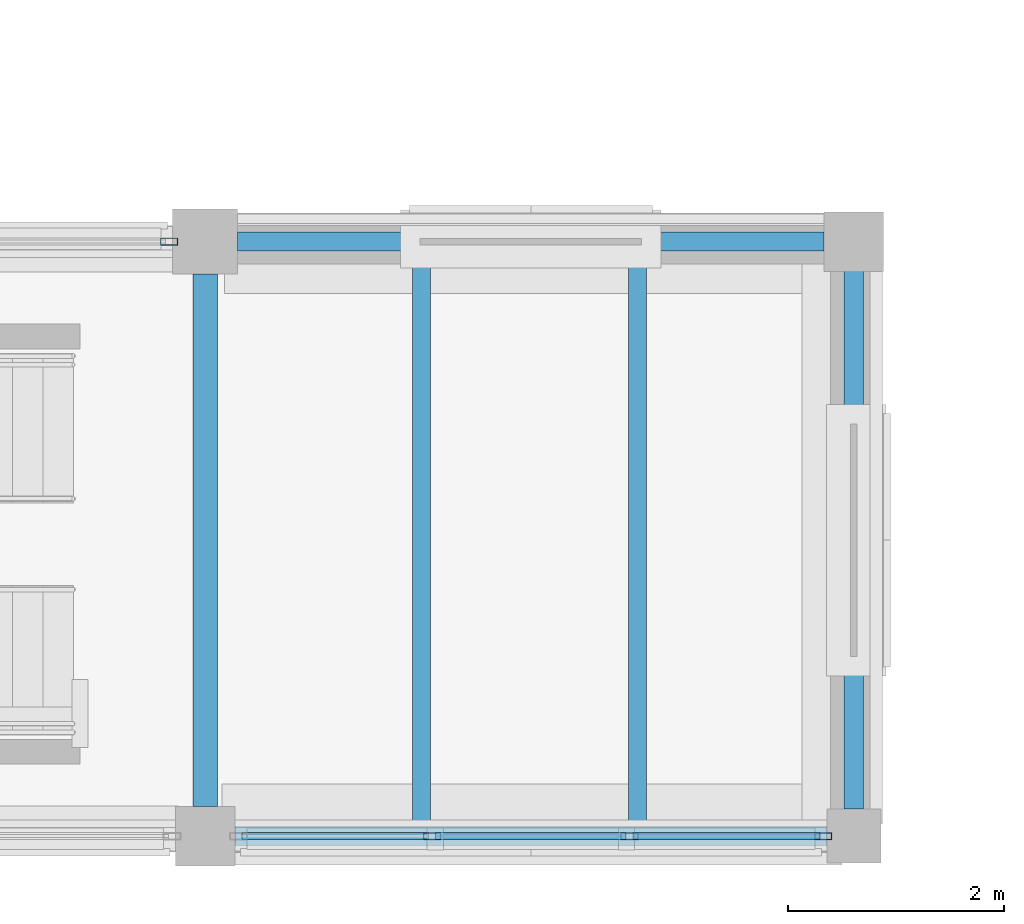
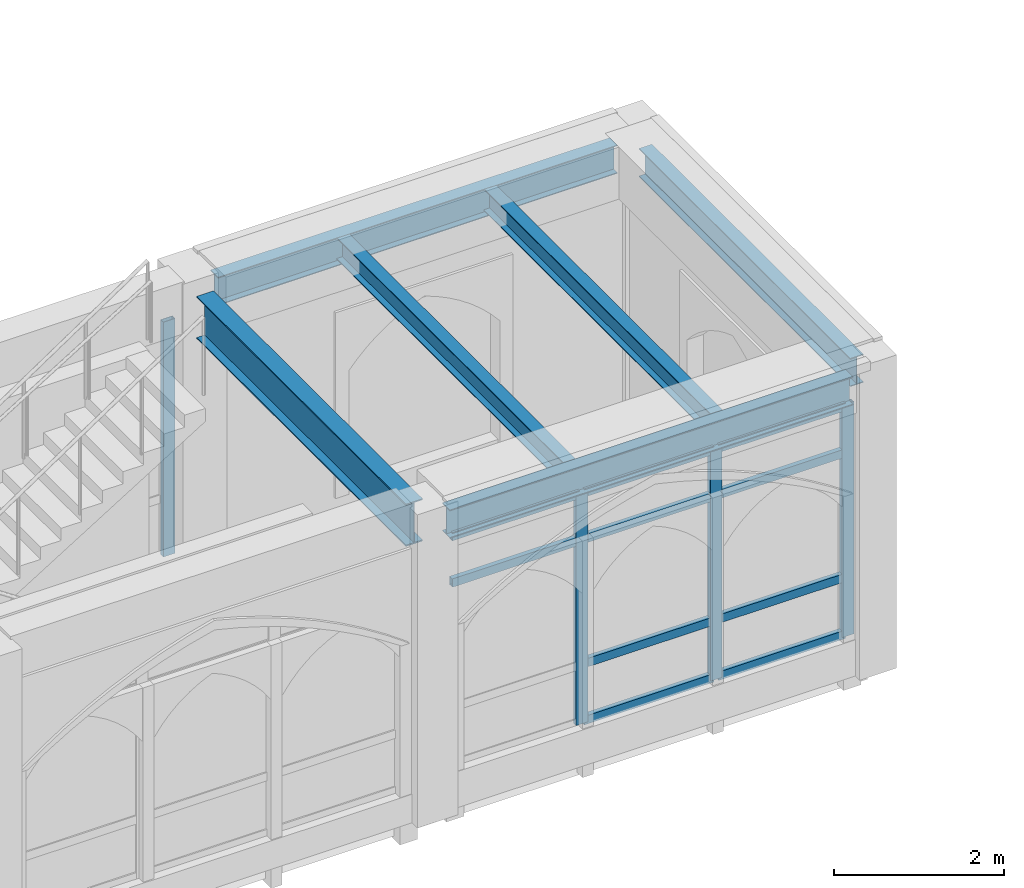
# One storey, part 37 of 127: 14 members, 6 beams, 2 elements without a shape of their own.
"""IFC4 building model written with IfcOpenShell, lengths in metres."""

from ifc_helpers import new_model, si_unit, direction, frame, origin, origin_2d, place, context, subcontext, project, spatial, hollow_rectangle, i_section, extrude, material, layer, layer_set, material_profile, profile_set, type_object, element, aggregate, save


model = new_model("IFC4")

# Units and contexts
model_context = context("Model", 3, precision=1e-05, world=origin(), true_north=direction((0.0, 1.0)))
body_context = subcontext(model_context, "Body", "Model", "MODEL_VIEW")
ifc_project = project(units=[si_unit("LENGTHUNIT", "METRE"), si_unit("AREAUNIT", "SQUARE_METRE"), si_unit("VOLUMEUNIT", "CUBIC_METRE"), si_unit("PLANEANGLEUNIT", "RADIAN"), si_unit("MASSUNIT", "GRAM", prefix="KILO")], contexts=[model_context])

# Site, building, storey
site_placement = place(None, origin())
site = spatial("IfcSite", under=ifc_project, at=site_placement, CompositionType="ELEMENT")
building_placement = place(site_placement, origin())
building = spatial("IfcBuilding", under=site, at=building_placement, Name="Cumevento Cable Car Station", CompositionType="ELEMENT")
storey_placement = place(building_placement, frame((0.0, 0.0, 4.5)))
storey = spatial("IfcBuildingStorey", under=building, at=storey_placement, Name="L02", CompositionType="ELEMENT", Elevation=4.5)

# Curtain wall, member
ifc_material_1 = material(Name="Anodised Bronze Aluminium AW-6063-T6", Category="aluminium")
ifc_layer_1 = layer(ifc_material_1, 0.243896484375)
ifc_layer_set_1 = layer_set([ifc_layer_1], Name="Anodised Bronze Aluminium AW-6063-T6")
curtain_wall_type_1 = type_object("IfcCurtainWallType", Name="Lancet Curtain Wall CW-15 1610", PredefinedType="NOTDEFINED", material=ifc_layer_set_1)
curtain_wall_1_placement = place(storey_placement, origin())
curtain_wall_1 = element("IfcCurtainWall", 1, at=curtain_wall_1_placement, inside=storey, type_object=curtain_wall_type_1, Name="Lancet Curtain Wall CW-15 L02 #30", PredefinedType="NOTDEFINED")
ifc_material_2 = material(Name="Anodised Bronze Aluminium AW-6063-T6", Category="aluminium")
ifc_material_profile_1 = material_profile(ifc_material_2, hollow_rectangle(XDim=0.06494140625, YDim=0.159912109375, WallThickness=0.00390625, at=origin_2d()), Name="ALUM65x160x4")
ifc_profile_set_1 = profile_set([ifc_material_profile_1], Name="Anodised Bronze Aluminium AW-6063-T6")
member_type_1 = type_object("IfcMemberType", Name="Curtain Mullion CWM-01 ALUM65x160x4", PredefinedType="MULLION", material=ifc_profile_set_1)
member_1_placement = place(storey_placement, frame((75.66748046875, 9.5, 0.4599609375), z_axis=(0.0, 0.0, 1.0), x_axis=(0.0, 1.0, 0.0)))
member_1 = element("IfcMember", 2, at=member_1_placement, type_object=member_type_1, Name="CW-15 mullion 4", PredefinedType="MULLION", context=body_context, shape_type="SweptSolid", body=[
    extrude(hollow_rectangle(XDim=0.06494140625, YDim=0.159912109375, WallThickness=0.00390625, at=origin_2d()), origin(), (0.0, 0.0, 1.0), 3.373046875),
])
aggregate(curtain_wall_1, [member_1])

# Curtain wall, members
ifc_material_3 = material(Name="Anodised Bronze Aluminium AW-6063-T6", Category="aluminium")
ifc_layer_2 = layer(ifc_material_3, 0.25)
ifc_layer_set_2 = layer_set([ifc_layer_2], Name="Anodised Bronze Aluminium AW-6063-T6")
curtain_wall_type_2 = type_object("IfcCurtainWallType", Name="Lancet Curtain Wall CW-16 1650", PredefinedType="NOTDEFINED", material=ifc_layer_set_2)
curtain_wall_2_placement = place(storey_placement, origin())
curtain_wall_2 = element("IfcCurtainWall", 3, at=curtain_wall_2_placement, inside=storey, type_object=curtain_wall_type_2, Name="Lancet Curtain Wall CW-16 L02 #31", PredefinedType="NOTDEFINED")
member_2_placement = place(storey_placement, frame((81.717529296875, 4.0, 0.52001953125), z_axis=(0.0, 0.0, 1.0), x_axis=(0.0, -1.0, 0.0)))
member_2 = element("IfcMember", 4, at=member_2_placement, type_object=member_type_1, Name="CW-16 mullion 1", PredefinedType="MULLION", context=body_context, shape_type="SweptSolid", body=[
    extrude(hollow_rectangle(XDim=0.06494140625, YDim=0.159912109375, WallThickness=0.00390625, at=origin_2d()), origin(), (0.0, 0.0, 1.0), 3.3369140625),
])
member_3_placement = place(storey_placement, frame((79.925048828125, 4.0, 0.52001953125), z_axis=(0.0, 0.0, 1.0), x_axis=(0.0, -1.0, 0.0)))
member_3 = element("IfcMember", 5, at=member_3_placement, type_object=member_type_1, Name="CW-16 mullion 2", PredefinedType="MULLION", context=body_context, shape_type="SweptSolid", body=[
    extrude(hollow_rectangle(XDim=0.06494140625, YDim=0.159912109375, WallThickness=0.00390625, at=origin_2d()), origin(), (0.0, 0.0, 1.0), 3.3369140625),
])
member_4_placement = place(storey_placement, frame((78.10009765625, 4.0, 0.52001953125), z_axis=(0.0, 0.0, 1.0), x_axis=(0.0, -1.0, 0.0)))
member_4 = element("IfcMember", 6, at=member_4_placement, type_object=member_type_1, Name="CW-16 mullion 3", PredefinedType="MULLION", context=body_context, shape_type="SweptSolid", body=[
    extrude(hollow_rectangle(XDim=0.06494140625, YDim=0.159912109375, WallThickness=0.00390625, at=origin_2d()), origin(), (0.0, 0.0, 1.0), 3.3369140625),
])
ifc_material_4 = material(Name="Anodised Bronze Aluminium AW-6063-T6", Category="aluminium")
ifc_material_profile_2 = material_profile(ifc_material_4, hollow_rectangle(XDim=0.06494140625, YDim=0.1201171875, WallThickness=0.00390625, at=origin_2d()), Name="ALUT65x120x4")
ifc_profile_set_2 = profile_set([ifc_material_profile_2], Name="Anodised Bronze Aluminium AW-6063-T6")
member_type_2 = type_object("IfcMemberType", Name="Curtain Transom CWT-01 ALUT65x120x4", PredefinedType="USERDEFINED", material=ifc_profile_set_2)
member_5_placement = place(storey_placement, frame((81.68505859375, 4.0, 0.552490234375), z_axis=(-1.0, 0.0, 0.0), x_axis=(0.0, -1.0, 0.0)))
member_5 = element("IfcMember", 7, at=member_5_placement, type_object=member_type_2, Name="CW-16 transom 1.1", ObjectType="TRANSOM", PredefinedType="USERDEFINED", context=body_context, shape_type="SweptSolid", body=[
    extrude(hollow_rectangle(XDim=0.06494140625, YDim=0.1201171875, WallThickness=0.00390625, at=origin_2d()), origin(), (0.0, 0.0, 1.0), 1.7275390625),
])
member_6_placement = place(storey_placement, frame((81.68505859375, 4.0, 1.3701171875), z_axis=(-1.0, 0.0, 0.0), x_axis=(0.0, -1.0, 0.0)))
member_6 = element("IfcMember", 8, at=member_6_placement, type_object=member_type_2, Name="CW-16 transom 1.2", ObjectType="TRANSOM", PredefinedType="USERDEFINED", context=body_context, shape_type="SweptSolid", body=[
    extrude(hollow_rectangle(XDim=0.06494140625, YDim=0.1201171875, WallThickness=0.00390625, at=origin_2d()), origin(), (0.0, 0.0, 1.0), 1.7275390625),
])
member_7_placement = place(storey_placement, frame((81.68505859375, 4.0, 3.156982421875), z_axis=(-1.0, 0.0, 0.0), x_axis=(0.0, -1.0, 0.0)))
member_7 = element("IfcMember", 9, at=member_7_placement, type_object=member_type_2, Name="CW-16 transom 1.3", ObjectType="TRANSOM", PredefinedType="USERDEFINED", context=body_context, shape_type="SweptSolid", body=[
    extrude(hollow_rectangle(XDim=0.06494140625, YDim=0.1201171875, WallThickness=0.00390625, at=origin_2d()), origin(), (0.0, 0.0, 1.0), 1.7275390625),
])
member_8_placement = place(storey_placement, frame((81.68505859375, 4.0, 3.824462890625), z_axis=(-1.0, 0.0, 0.0), x_axis=(0.0, -1.0, 0.0)))
member_8 = element("IfcMember", 10, at=member_8_placement, type_object=member_type_2, Name="CW-16 transom 1.4", ObjectType="TRANSOM", PredefinedType="USERDEFINED", context=body_context, shape_type="SweptSolid", body=[
    extrude(hollow_rectangle(XDim=0.06494140625, YDim=0.1201171875, WallThickness=0.00390625, at=origin_2d()), origin(), (0.0, 0.0, 1.0), 1.7275390625),
])
member_9_placement = place(storey_placement, frame((79.892578125, 4.0, 0.552490234375), z_axis=(-1.0, 0.0, 0.0), x_axis=(0.0, -1.0, 0.0)))
member_9 = element("IfcMember", 11, at=member_9_placement, type_object=member_type_2, Name="CW-16 transom 2.1", ObjectType="TRANSOM", PredefinedType="USERDEFINED", context=body_context, shape_type="SweptSolid", body=[
    extrude(hollow_rectangle(XDim=0.06494140625, YDim=0.1201171875, WallThickness=0.00390625, at=origin_2d()), origin(), (0.0, 0.0, 1.0), 1.760009765625),
])
member_10_placement = place(storey_placement, frame((79.892578125, 4.0, 1.3701171875), z_axis=(-1.0, 0.0, 0.0), x_axis=(0.0, -1.0, 0.0)))
member_10 = element("IfcMember", 12, at=member_10_placement, type_object=member_type_2, Name="CW-16 transom 2.2", ObjectType="TRANSOM", PredefinedType="USERDEFINED", context=body_context, shape_type="SweptSolid", body=[
    extrude(hollow_rectangle(XDim=0.06494140625, YDim=0.1201171875, WallThickness=0.00390625, at=origin_2d()), origin(), (0.0, 0.0, 1.0), 1.760009765625),
])
member_11_placement = place(storey_placement, frame((79.892578125, 4.0, 3.156982421875), z_axis=(-1.0, 0.0, 0.0), x_axis=(0.0, -1.0, 0.0)))
member_11 = element("IfcMember", 13, at=member_11_placement, type_object=member_type_2, Name="CW-16 transom 2.3", ObjectType="TRANSOM", PredefinedType="USERDEFINED", context=body_context, shape_type="SweptSolid", body=[
    extrude(hollow_rectangle(XDim=0.06494140625, YDim=0.1201171875, WallThickness=0.00390625, at=origin_2d()), origin(), (0.0, 0.0, 1.0), 1.760009765625),
])
member_12_placement = place(storey_placement, frame((79.892578125, 4.0, 3.824462890625), z_axis=(-1.0, 0.0, 0.0), x_axis=(0.0, -1.0, 0.0)))
member_12 = element("IfcMember", 14, at=member_12_placement, type_object=member_type_2, Name="CW-16 transom 2.4", ObjectType="TRANSOM", PredefinedType="USERDEFINED", context=body_context, shape_type="SweptSolid", body=[
    extrude(hollow_rectangle(XDim=0.06494140625, YDim=0.1201171875, WallThickness=0.00390625, at=origin_2d()), origin(), (0.0, 0.0, 1.0), 1.760009765625),
])
member_13_placement = place(storey_placement, frame((78.0673828125, 4.0, 3.156982421875), z_axis=(-1.0, 0.0, 0.0), x_axis=(0.0, -1.0, 0.0)))
member_13 = element("IfcMember", 15, at=member_13_placement, type_object=member_type_2, Name="CW-16 transom 3.3", ObjectType="TRANSOM", PredefinedType="USERDEFINED", context=body_context, shape_type="SweptSolid", body=[
    extrude(hollow_rectangle(XDim=0.06494140625, YDim=0.1201171875, WallThickness=0.00390625, at=origin_2d()), origin(), (0.0, 0.0, 1.0), 1.727294921875),
])
member_14_placement = place(storey_placement, frame((78.0673828125, 4.0, 3.824462890625), z_axis=(-1.0, 0.0, 0.0), x_axis=(0.0, -1.0, 0.0)))
member_14 = element("IfcMember", 16, at=member_14_placement, type_object=member_type_2, Name="CW-16 transom 3.4", ObjectType="TRANSOM", PredefinedType="USERDEFINED", context=body_context, shape_type="SweptSolid", body=[
    extrude(hollow_rectangle(XDim=0.06494140625, YDim=0.1201171875, WallThickness=0.00390625, at=origin_2d()), origin(), (0.0, 0.0, 1.0), 1.727294921875),
])
aggregate(curtain_wall_2, [member_2, member_3, member_4, member_5, member_6, member_7, member_8, member_9, member_10, member_11, member_12, member_13, member_14])

# Beams
ifc_material_5 = material(Name="Steel ASTM A572 Grade 50", Category="steel")
ifc_material_profile_3 = material_profile(ifc_material_5, i_section(OverallWidth=0.22802734375, OverallDepth=0.60791015625, WebThickness=0.01123046875, FlangeThickness=0.017333984375, at=origin_2d()), Name="W610x113.0")
ifc_profile_set_3 = profile_set([ifc_material_profile_3], Name="Steel ASTM A572 Grade 50")
beam_type_1 = type_object("IfcBeamType", Name="Structural Beam BM-02 W610x113.0", PredefinedType="BEAM", material=ifc_profile_set_3)
beam_1_placement = place(storey_placement, frame((76.0, 4.27490234375, 3.9599609375), z_axis=(0.0, 1.0, 0.0), x_axis=(-1.0, 0.0, 0.0)))
element("IfcBeam", 17, at=beam_1_placement, inside=storey, type_object=beam_type_1, Name="Beam BM-02 L02 #463", PredefinedType="BEAM", context=body_context, shape_type="SweptSolid", body=[
    extrude(i_section(OverallWidth=0.22802734375, OverallDepth=0.60791015625, WebThickness=0.01123046875, FlangeThickness=0.017333984375, at=origin_2d()), origin(), (0.0, 0.0, 1.0), 4.925048828125),
])
ifc_material_6 = material(Name="Steel ASTM A572 Grade 50", Category="steel")
ifc_material_profile_4 = material_profile(ifc_material_6, i_section(OverallWidth=0.1669921875, OverallDepth=0.31689453125, WebThickness=0.007568359375, FlangeThickness=0.01318359375, at=origin_2d()), Name="W310x52.0")
ifc_profile_set_4 = profile_set([ifc_material_profile_4], Name="Steel ASTM A572 Grade 50")
beam_type_2 = type_object("IfcBeamType", Name="Structural Joist JS-02 W310x52.0", PredefinedType="JOIST", material=ifc_profile_set_4)
for number, where, z_axis, x_axis, name in (
    (18, (78.0, 4.076904296875, 4.10546875), (0.0, 1.0, 0.0), (-1.0, 0.0, 0.0), "Composite Floor Joist JS-02 L02 #742"),
    (19, (80.0, 4.076904296875, 4.10546875), (0.0, 1.0, 0.0), (-1.0, 0.0, 0.0), "Composite Floor Joist JS-02 L02 #743"),
):
    element("IfcBeam", number, at=place(storey_placement, frame(where, z_axis=z_axis, x_axis=x_axis)), inside=storey, type_object=beam_type_2, Name=name, PredefinedType="JOIST", context=body_context, shape_type="SweptSolid", body=[
        extrude(i_section(OverallWidth=0.1669921875, OverallDepth=0.31689453125, WebThickness=0.007568359375, FlangeThickness=0.01318359375, at=origin_2d()), origin(), (0.0, 0.0, 1.0), 5.34619140625),
    ])
ifc_material_7 = material(Name="Steel ASTM A572 Grade 50", Category="steel")
ifc_material_profile_5 = material_profile(ifc_material_7, i_section(OverallWidth=0.177978515625, OverallDepth=0.406982421875, WebThickness=0.0078125, FlangeThickness=0.0126953125, at=origin_2d()), Name="W410x60.0")
ifc_profile_set_5 = profile_set([ifc_material_profile_5], Name="Steel ASTM A572 Grade 50")
beam_type_3 = type_object("IfcBeamType", Name="Structural Spandrel SP-01 W410x60.0", PredefinedType="SPANDREL", material=ifc_profile_set_5)
beam_2_placement = place(storey_placement, frame((76.27490234375, 4.0, 4.060546875), z_axis=(1.0, 0.0, 0.0), x_axis=(0.0, 1.0, 0.0)))
element("IfcBeam", 20, at=beam_2_placement, inside=storey, type_object=beam_type_3, Name="Beam SP-01 L02 #454", PredefinedType="SPANDREL", context=body_context, shape_type="SweptSolid", body=[
    extrude(i_section(OverallWidth=0.177978515625, OverallDepth=0.406982421875, WebThickness=0.0078125, FlangeThickness=0.0126953125, at=origin_2d()), origin(), (0.0, 0.0, 1.0), 5.47509765625),
])
beam_3_placement = place(storey_placement, frame((76.300048828125, 9.5, 4.060546875), z_axis=(1.0, 0.0, 0.0), x_axis=(0.0, 1.0, 0.0)))
element("IfcBeam", 21, at=beam_3_placement, inside=storey, type_object=beam_type_3, Name="Beam SP-01 L02 #460", PredefinedType="SPANDREL", context=body_context, shape_type="SweptSolid", body=[
    extrude(i_section(OverallWidth=0.177978515625, OverallDepth=0.406982421875, WebThickness=0.0078125, FlangeThickness=0.0126953125, at=origin_2d()), origin(), (0.0, 0.0, 1.0), 5.425048828125),
])
beam_4_placement = place(storey_placement, frame((82.0, 4.25, 4.060546875), z_axis=(0.0, 1.0, 0.0), x_axis=(-1.0, 0.0, 0.0)))
element("IfcBeam", 22, at=beam_4_placement, inside=storey, type_object=beam_type_3, Name="Beam SP-01 L02 #464", PredefinedType="SPANDREL", context=body_context, shape_type="SweptSolid", body=[
    extrude(i_section(OverallWidth=0.177978515625, OverallDepth=0.406982421875, WebThickness=0.0078125, FlangeThickness=0.0126953125, at=origin_2d()), origin(), (0.0, 0.0, 1.0), 4.97509765625),
])

save(model, "model.ifc")
